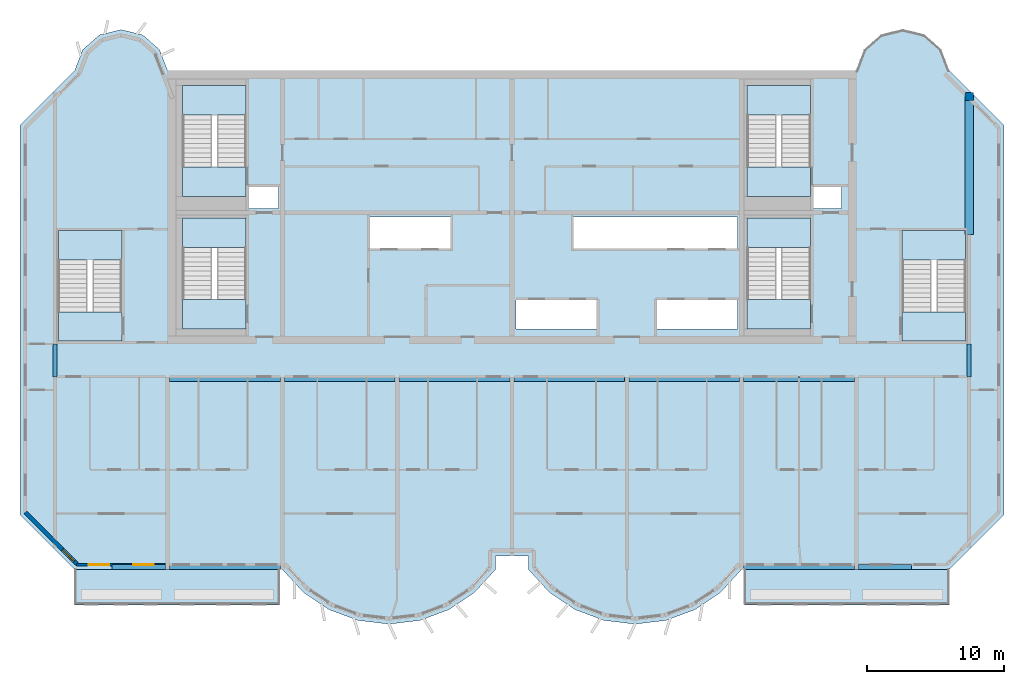
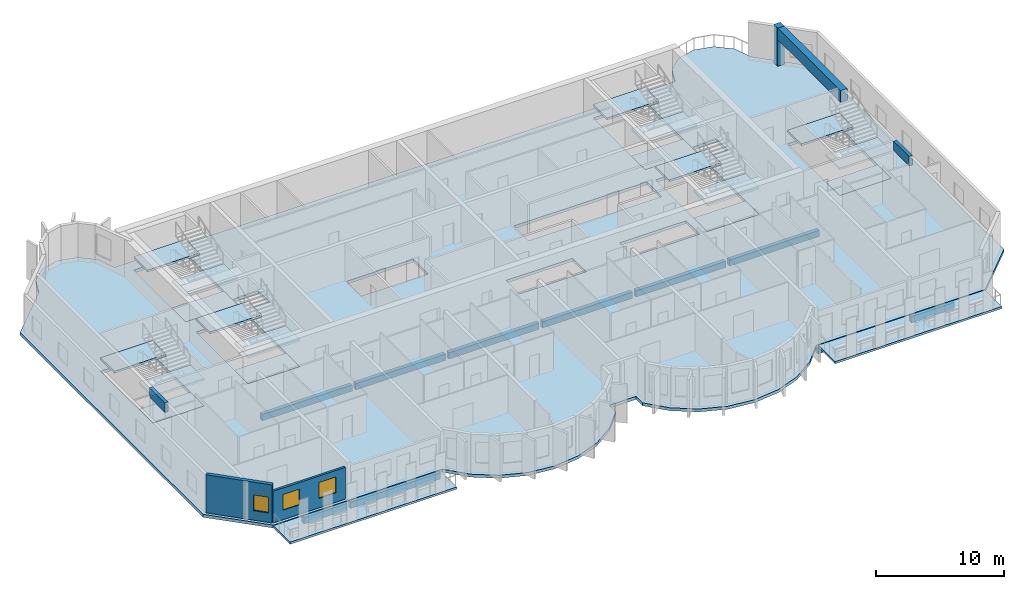
# One storey, part 1 of 12: 21 slabs, 13 beams, 3 windows, 2 walls, 1 column, 3 openings, 6 elements without a shape of their own.
"""IFC4 building model written with IfcOpenShell, lengths in metres."""

import ifcopenshell
import ifcopenshell.guid

model = None  # the IFC model being written
_history = None  # IfcOwnerHistory: only IFC2X3 demands one
_inside = {}  # id of a spatial element -> (the spatial element, [elements in it])
_under = {}  # id of a project, library or spatial element -> (it, [spatial elements below it])
_declared = {}  # id of a project -> (the project, [libraries it declares])
_typed = {}  # id of a type object -> (the type object, [elements of that type])
_made_of = {}  # id of a material, layer set ... -> (it, [elements and type objects made of it])


def new_model(schema):
    """Start an empty IFC model of exactly this schema.

    Asked for "IFC4X3", IfcOpenShell would pick the latest addendum, in which some entities
    have other attributes; the version numbers below select the first issue.
    IFC2X3 requires an IfcOwnerHistory on every rooted entity: one is made here for all.
    """
    global model, _history
    if schema == "IFC4X3":
        model = ifcopenshell.file(schema_version=(4, 3, 0, 0))
    else:
        model = ifcopenshell.file(schema=schema)
    _inside.clear()
    _under.clear()
    _declared.clear()
    _typed.clear()
    _made_of.clear()
    _history = None
    if model.schema == "IFC2X3":
        org = make("IfcOrganization", Name="unknown")
        user = make(
            "IfcPersonAndOrganization",
            ThePerson=make("IfcPerson", FamilyName="unknown"),
            TheOrganization=org,
        )
        app = make(
            "IfcApplication",
            ApplicationDeveloper=org,
            Version="unknown",
            ApplicationFullName="unknown",
            ApplicationIdentifier="unknown",
        )
        _history = make(
            "IfcOwnerHistory",
            OwningUser=user,
            OwningApplication=app,
            ChangeAction="ADDED",
            CreationDate=0,
        )
    return model


def make(cls, **values):
    """One entity of the class cls with the attributes given. An attribute that is None is left unset."""
    return model.create_entity(
        cls, **{name: value for name, value in values.items() if value is not None}
    )


def rooted(cls, **values):
    """An entity with a GlobalId (a new one), such as an element, a storey or a relation."""
    return make(cls, GlobalId=ifcopenshell.guid.new(), OwnerHistory=_history, **values)


def si_unit(unit_type, name, prefix=None):
    """IfcSIUnit, for example si_unit("LENGTHUNIT", "METRE", prefix="MILLI")."""
    return make("IfcSIUnit", UnitType=unit_type, Prefix=prefix, Name=name)


def assignment(units):
    """IfcUnitAssignment: the units of a project."""
    return None if units is None else make("IfcUnitAssignment", Units=units)


def point(xyz):
    """IfcCartesianPoint."""
    return None if xyz is None else make("IfcCartesianPoint", Coordinates=xyz)


def direction(xyz):
    """IfcDirection."""
    return None if xyz is None else make("IfcDirection", DirectionRatios=xyz)


def frame(location, z_axis=None, x_axis=None):
    """IfcAxis2Placement3D, a coordinate frame: its origin and axes. An axis left out is left unset."""
    return make(
        "IfcAxis2Placement3D",
        Location=point(location),
        Axis=direction(z_axis),
        RefDirection=direction(x_axis),
    )


def frame_2d(location, x_axis=None):
    """IfcAxis2Placement2D, a coordinate frame in the plane: its origin and x axis."""
    return make(
        "IfcAxis2Placement2D", Location=point(location), RefDirection=direction(x_axis)
    )


def origin():
    """The frame at (0, 0, 0) with its axes left unset."""
    return frame((0.0, 0.0, 0.0))


def origin_2d():
    """The frame at (0, 0) in the plane with its x axis left unset."""
    return frame_2d((0.0, 0.0))


def place(relative_to, where):
    """IfcLocalPlacement: puts the frame where relative to a parent placement (None: the world)."""
    return make(
        "IfcLocalPlacement", PlacementRelTo=relative_to, RelativePlacement=where
    )


def context(
    kind, dimensions, precision=None, world=None, true_north=None, identifier=None
):
    """IfcGeometricRepresentationContext, for example the 3D "Model" context."""
    return make(
        "IfcGeometricRepresentationContext",
        ContextIdentifier=identifier,
        ContextType=kind,
        CoordinateSpaceDimension=dimensions,
        Precision=precision,
        WorldCoordinateSystem=world,
        TrueNorth=true_north,
    )


def subcontext(parent, identifier, kind, view, scale=None):
    """IfcGeometricRepresentationSubContext, for example "Body" below "Model"."""
    return make(
        "IfcGeometricRepresentationSubContext",
        ContextIdentifier=identifier,
        ContextType=kind,
        ParentContext=parent,
        TargetScale=scale,
        TargetView=view,
    )


def project(units=None, contexts=None):
    """IfcProject with its units and contexts."""
    return rooted(
        "IfcProject",
        Name="project",
        RepresentationContexts=contexts,
        UnitsInContext=assignment(units),
    )


def spatial(cls, under=None, at=None, **own):
    """A site, building, storey or space (cls), placed at a placement, below another one or the project."""
    s = rooted(cls, ObjectPlacement=at, **own)
    if under is not None:
        _under.setdefault(under.id(), (under, []))[1].append(s)
    return s


def polyline(points):
    """IfcPolyline through the points."""
    return make("IfcPolyline", Points=[point(p) for p in points])


def profile(cls, at=None, kind="AREA", **sizes):
    """A parametric profile (cls). Its sizes go by their IFC names, for example OverallWidth=200.0."""
    return make(cls, ProfileType=kind, Position=at, **sizes)


def rectangle(**sizes):
    """IfcRectangleProfileDef."""
    return profile("IfcRectangleProfileDef", **sizes)


def outline(outer, holes=None, kind="AREA"):
    """IfcArbitraryClosedProfileDef: a profile drawn as a closed curve; with holes, ...WithVoids."""
    if holes is None:
        return make("IfcArbitraryClosedProfileDef", ProfileType=kind, OuterCurve=outer)
    return make(
        "IfcArbitraryProfileDefWithVoids",
        ProfileType=kind,
        OuterCurve=outer,
        InnerCurves=holes,
    )


def extrude(swept, where, along, depth):
    """IfcExtrudedAreaSolid: the profile swept, set in the frame where, extruded along a direction by depth."""
    return make(
        "IfcExtrudedAreaSolid",
        SweptArea=swept,
        Position=where,
        ExtrudedDirection=direction(along),
        Depth=depth,
    )


def shape(context_of_items, identifier, shape_type, items):
    """IfcShapeRepresentation: the items that make up one representation, for example the "Body"."""
    return make(
        "IfcShapeRepresentation",
        ContextOfItems=context_of_items,
        RepresentationIdentifier=identifier,
        RepresentationType=shape_type,
        Items=items,
    )


def source(mapping_origin, context_of_items, identifier, shape_type, items):
    """IfcRepresentationMap: a shape defined once, which mapped items show again and again."""
    return make(
        "IfcRepresentationMap",
        MappingOrigin=mapping_origin,
        MappedRepresentation=shape(context_of_items, identifier, shape_type, items),
    )


def transform(
    local_origin,
    x_axis=None,
    y_axis=None,
    z_axis=None,
    scale=None,
    scale2=None,
    scale3=None,
    uniform=True,
):
    """IfcCartesianTransformationOperator3D, or its non-uniform kind. x_axis, y_axis, z_axis: its Axis1, 2, 3."""
    if uniform:
        return make(
            "IfcCartesianTransformationOperator3D",
            Axis1=direction(x_axis),
            Axis2=direction(y_axis),
            LocalOrigin=point(local_origin),
            Scale=scale,
            Axis3=direction(z_axis),
        )
    return make(
        "IfcCartesianTransformationOperator3DnonUniform",
        Axis1=direction(x_axis),
        Axis2=direction(y_axis),
        LocalOrigin=point(local_origin),
        Scale=scale,
        Axis3=direction(z_axis),
        Scale2=scale2,
        Scale3=scale3,
    )


def mapped(mapping_source, mapping_target):
    """IfcMappedItem: shows the shape of a source again, moved by a transform."""
    return make(
        "IfcMappedItem", MappingSource=mapping_source, MappingTarget=mapping_target
    )


def material(Name=None, Category=None):
    """IfcMaterial."""
    return make("IfcMaterial", Name=Name, Category=Category)


def layer(
    of_material, thickness, ventilated=None, Name=None, Category=None, Priority=None
):
    """IfcMaterialLayer: one layer of a wall or slab, of a material (None: an air gap)."""
    return make(
        "IfcMaterialLayer",
        Material=of_material,
        LayerThickness=thickness,
        IsVentilated=ventilated,
        Name=Name,
        Category=Category,
        Priority=Priority,
    )


def layer_set(layers, Name=None):
    """IfcMaterialLayerSet."""
    return make("IfcMaterialLayerSet", MaterialLayers=layers, LayerSetName=Name)


def material_profile(
    of_material, cross_section, Name=None, Category=None, Priority=None
):
    """IfcMaterialProfile: a cross section and its material."""
    return make(
        "IfcMaterialProfile",
        Name=Name,
        Material=of_material,
        Profile=cross_section,
        Priority=Priority,
        Category=Category,
    )


def profile_set(profiles, Name=None, composite=None):
    """IfcMaterialProfileSet."""
    return make(
        "IfcMaterialProfileSet",
        Name=Name,
        MaterialProfiles=profiles,
        CompositeProfile=composite,
    )


def made_of(thing, what):
    """Note that an element or type object is made of a material, layer set ...; save() writes the relation."""
    if what is not None:
        _made_of.setdefault(what.id(), (what, []))[1].append(thing)
    return thing


def type_object(cls, material=None, **own):
    """A type object (cls), such as IfcWallType, which elements share."""
    return made_of(rooted(cls, **own), material)


def element(
    cls,
    number,
    at=None,
    inside=None,
    cuts=None,
    type_object=None,
    material=None,
    context=None,
    identifier="Body",
    shape_type=None,
    held_by="IfcProductDefinitionShape",
    body=None,
    shapes=None,
    **own,
):
    """One element of the class cls, such as IfcWall. Its Tag is "e" and its number.

    at: its placement. inside: the storey or other place that contains it. cuts: it is an
    opening in that element (IfcRelVoidsElement). A single representation is given by context,
    identifier, shape_type and body (its items); several are given by shapes. held_by: the class
    of the entity that holds the representations. save() writes the other relations.
    """
    e = rooted(cls, Tag="e%d" % number, ObjectPlacement=at, **own)
    if body is not None:
        shapes = [shape(context, identifier, shape_type, body)]
    if shapes is not None:
        e.Representation = make(held_by, Representations=shapes)
    if inside is not None:
        _inside.setdefault(inside.id(), (inside, []))[1].append(e)
    if cuts is not None:
        rooted(
            "IfcRelVoidsElement", RelatingBuildingElement=cuts, RelatedOpeningElement=e
        )
    if type_object is not None:
        _typed.setdefault(type_object.id(), (type_object, []))[1].append(e)
    return made_of(e, material)


def fill(opening, filler):
    """IfcRelFillsElement: the door or window that sits in an opening."""
    return rooted(
        "IfcRelFillsElement",
        RelatingOpeningElement=opening,
        RelatedBuildingElement=filler,
    )


def aggregate(whole, parts):
    """IfcRelAggregates: a whole, such as a stair, and the parts it consists of."""
    return rooted("IfcRelAggregates", RelatingObject=whole, RelatedObjects=parts)


def save(model, path):
    """Write the relations noted so far, then the file.

    IfcRelAggregates (storeys below a building ...), IfcRelContainedInSpatialStructure (elements
    in a storey), IfcRelDefinesByType, IfcRelAssociatesMaterial and IfcRelDeclares: one each for
    every whole, place, type object, material and project.
    """
    for whole, parts in _under.values():
        aggregate(whole, parts)
    for where, things in _inside.values():
        rooted(
            "IfcRelContainedInSpatialStructure",
            RelatedElements=things,
            RelatingStructure=where,
        )
    for kind, things in _typed.values():
        rooted("IfcRelDefinesByType", RelatedObjects=things, RelatingType=kind)
    for what, things in _made_of.values():
        rooted("IfcRelAssociatesMaterial", RelatedObjects=things, RelatingMaterial=what)
    for by, libraries in _declared.values():
        rooted("IfcRelDeclares", RelatingContext=by, RelatedDefinitions=libraries)
    model.write(path)


model = new_model("IFC4")

# Units and contexts
model_context = context("Model", 3, precision=1e-05, world=origin(), true_north=direction((0.0, 1.0)))
body_context = subcontext(model_context, "Body", "Model", "MODEL_VIEW")
ifc_project = project(units=[si_unit("LENGTHUNIT", "METRE"), si_unit("AREAUNIT", "SQUARE_METRE"), si_unit("VOLUMEUNIT", "CUBIC_METRE"), si_unit("PLANEANGLEUNIT", "RADIAN"), si_unit("MASSUNIT", "GRAM", prefix="KILO")], contexts=[model_context])

# Site, building, storey
site_placement = place(None, origin())
site = spatial("IfcSite", under=ifc_project, at=site_placement, CompositionType="ELEMENT")
building_placement = place(site_placement, origin())
building = spatial("IfcBuilding", under=site, at=building_placement, Name="Vanashikhar Sky Hotel", CompositionType="ELEMENT")
storey_placement = place(building_placement, frame((0.0, 0.0, 253.0)))
storey = spatial("IfcBuildingStorey", under=building, at=storey_placement, Name="L61", CompositionType="ELEMENT", Elevation=253.0)

# Column
ifc_material_1 = material(Name="Concrete M50", Category="concrete")
ifc_material_profile_1 = material_profile(ifc_material_1, rectangle(XDim=0.60009765625, YDim=0.60009765625, at=origin_2d()))
ifc_profile_set_1 = profile_set([ifc_material_profile_1], Name="RC 600x600 column Concrete M50")
column_type = type_object("IfcColumnType", Name="RC 600x600 column Concrete M50", PredefinedType="COLUMN", material=ifc_profile_set_1)
shared_shape_1 = source(origin(), body_context, "Body", "SweptSolid", [
    extrude(rectangle(XDim=0.60009765625, YDim=0.60009765625, at=origin_2d()), origin(), (0.0, 0.0, 1.0), 3.6201171875),
])
column_placement = place(storey_placement, frame((83.85009765625, 40.10009765625, 0.0), z_axis=(0.0, 0.0, 1.0), x_axis=(1.0, 0.0, 0.0)))
element("IfcColumn", 1, at=column_placement, inside=storey, type_object=column_type, Name="CL-L61-CRF", PredefinedType="COLUMN", context=body_context, shape_type="MappedRepresentation", body=[
    mapped(shared_shape_1, transform((0.0, 0.0, 0.0), scale=1.0)),
])

# Beams
ifc_material_profile_2 = material_profile(ifc_material_1, rectangle(XDim=0.300048828125, YDim=0.89990234375, at=origin_2d()))
ifc_profile_set_2 = profile_set([ifc_material_profile_2], Name="RC 300x900 beam Concrete M50")
beam_type_1 = type_object("IfcBeamType", Name="RC 300x900 beam Concrete M50", PredefinedType="LINTEL", material=ifc_profile_set_2)
shared_shape_2 = source(origin(), body_context, "Body", "SweptSolid", [
    extrude(rectangle(XDim=0.300048828125, YDim=0.89990234375, at=origin_2d()), origin(), (0.0, 0.0, 1.0), 2.39990234375),
])
for number, where, z_axis, x_axis, name in (
    (2, (16.949951171875, 19.60009765625, 3.169921875), (0.0, 1.0, 0.0), (-1.0, 0.0, 0.0), "LB-L61-XW03"),
    (3, (83.85009765625, 19.60009765625, 3.169921875), (0.0, 1.0, 0.0), (-1.0, 0.0, 0.0), "LB-L61-XW11"),
):
    element("IfcBeam", number, at=place(storey_placement, frame(where, z_axis=z_axis, x_axis=x_axis)), inside=storey, type_object=beam_type_1, Name=name, PredefinedType="LINTEL", context=body_context, shape_type="MappedRepresentation", body=[
        mapped(shared_shape_2, transform((0.0, 0.0, 0.0), scale=1.0)),
    ])
ifc_material_profile_3 = material_profile(ifc_material_1, rectangle(XDim=0.35009765625, YDim=0.60009765625, at=origin_2d()))
ifc_profile_set_3 = profile_set([ifc_material_profile_3], Name="RC 350x600 beam Concrete M50")
beam_type_2 = type_object("IfcBeamType", Name="RC 350x600 beam Concrete M50", PredefinedType="SPANDREL", material=ifc_profile_set_3)
shared_shape_3 = source(origin(), body_context, "Body", "SweptSolid", [
    extrude(rectangle(XDim=0.35009765625, YDim=0.60009765625, at=origin_2d()), origin(), (0.0, 0.0, 1.0), 8.099853515625),
])
for number, where, z_axis, x_axis, name in (
    (4, (25.35009765625, 5.675048828125, -0.580078125), (1.0, 0.0, 0.0), (0.0, 1.0, 0.0), "EB-L61-F01"),
    (5, (67.35009765625, 5.675048828125, -0.580078125), (1.0, 0.0, 0.0), (0.0, 1.0, 0.0), "EB-L61-F03"),
    (6, (25.35009765625, 19.425048828125, -0.580078125), (1.0, 0.0, 0.0), (0.0, 1.0, 0.0), "CB-L61-01"),
    (7, (50.550048828125, 19.425048828125, -0.580078125), (1.0, 0.0, 0.0), (0.0, 1.0, 0.0), "CB-L61-04"),
    (8, (67.35009765625, 19.425048828125, -0.580078125), (1.0, 0.0, 0.0), (0.0, 1.0, 0.0), "CB-L61-06"),
):
    element("IfcBeam", number, at=place(storey_placement, frame(where, z_axis=z_axis, x_axis=x_axis)), inside=storey, type_object=beam_type_2, Name=name, PredefinedType="SPANDREL", context=body_context, shape_type="MappedRepresentation", body=[
        mapped(shared_shape_3, transform((0.0, 0.0, 0.0), scale=1.0)),
    ])
ifc_material_profile_4 = material_profile(ifc_material_1, rectangle(XDim=0.35009765625, YDim=0.60009765625, at=origin_2d()))
ifc_profile_set_4 = profile_set([ifc_material_profile_4], Name="RC 350x600 cantilever beam Concrete M50")
beam_type_3 = type_object("IfcBeamType", Name="RC 350x600 cantilever beam Concrete M50", PredefinedType="SPANDREL", material=ifc_profile_set_4)
shared_shape_4 = source(origin(), body_context, "Body", "SweptSolid", [
    extrude(rectangle(XDim=0.35009765625, YDim=0.60009765625, at=origin_2d()), origin(), (0.0, 0.0, 1.0), 3.900146484375),
])
beam_1_placement = place(storey_placement, frame((21.14990234375, 5.675048828125, -0.580078125), z_axis=(1.0, 0.0, 0.0), x_axis=(0.0, 1.0, 0.0)))
element("IfcBeam", 9, at=beam_1_placement, inside=storey, type_object=beam_type_3, Name="EB-L61-F02", PredefinedType="SPANDREL", context=body_context, shape_type="MappedRepresentation", body=[
    mapped(shared_shape_4, transform((0.0, 0.0, 0.0), scale=1.0)),
])
shared_shape_5 = source(origin(), body_context, "Body", "SweptSolid", [
    extrude(rectangle(XDim=0.35009765625, YDim=0.60009765625, at=origin_2d()), origin(), (0.0, 0.0, 1.0), 3.89990234375),
])
beam_2_placement = place(storey_placement, frame((75.75, 5.675048828125, -0.580078125), z_axis=(1.0, 0.0, 0.0), x_axis=(0.0, 1.0, 0.0)))
element("IfcBeam", 10, at=beam_2_placement, inside=storey, type_object=beam_type_3, Name="EB-L61-F04", PredefinedType="SPANDREL", context=body_context, shape_type="MappedRepresentation", body=[
    mapped(shared_shape_5, transform((0.0, 0.0, 0.0), scale=1.0)),
])
shared_shape_6 = source(origin(), body_context, "Body", "SweptSolid", [
    extrude(rectangle(XDim=0.35009765625, YDim=0.60009765625, at=origin_2d()), origin(), (0.0, 0.0, 1.0), 8.10009765625),
])
for number, where, z_axis, x_axis, name in (
    (11, (33.75, 19.425048828125, -0.580078125), (1.0, 0.0, 0.0), (0.0, 1.0, 0.0), "CB-L61-02"),
    (12, (42.14990234375, 19.425048828125, -0.580078125), (1.0, 0.0, 0.0), (0.0, 1.0, 0.0), "CB-L61-03"),
    (13, (58.949951171875, 19.425048828125, -0.580078125), (1.0, 0.0, 0.0), (0.0, 1.0, 0.0), "CB-L61-05"),
):
    element("IfcBeam", number, at=place(storey_placement, frame(where, z_axis=z_axis, x_axis=x_axis)), inside=storey, type_object=beam_type_2, Name=name, PredefinedType="SPANDREL", context=body_context, shape_type="MappedRepresentation", body=[
        mapped(shared_shape_6, transform((0.0, 0.0, 0.0), scale=1.0)),
    ])
ifc_material_profile_5 = material_profile(ifc_material_1, rectangle(XDim=0.60009765625, YDim=1.10009765625, at=origin_2d()))
ifc_profile_set_5 = profile_set([ifc_material_profile_5], Name="RC 600x1100 beam Concrete M50")
beam_type_4 = type_object("IfcBeamType", Name="RC 600x1100 beam Concrete M50", PredefinedType="BEAM", material=ifc_profile_set_5)
shared_shape_7 = source(origin(), body_context, "Body", "SweptSolid", [
    extrude(rectangle(XDim=0.60009765625, YDim=1.10009765625, at=origin_2d()), origin(), (0.0, 0.0, 1.0), 9.800048828125),
])
beam_3_placement = place(storey_placement, frame((83.85009765625, 30.0, 3.070068359375), z_axis=(0.0, 1.0, 0.0), x_axis=(-1.0, 0.0, 0.0)))
element("IfcBeam", 14, at=beam_3_placement, inside=storey, type_object=beam_type_4, Name="LB-L61-XW11-O1", PredefinedType="BEAM", context=body_context, shape_type="MappedRepresentation", body=[
    mapped(shared_shape_7, transform((0.0, 0.0, 0.0), scale=1.0)),
])

# Slabs
ifc_material_2 = material(Name="Concrete M40", Category="concrete")
ifc_layer_1 = layer(ifc_material_2, 0.280029296875)
ifc_layer_set_1 = layer_set([ifc_layer_1], Name="Floor slab 280 mm")
slab_type_1 = type_object("IfcSlabType", Name="Floor slab 280 mm", PredefinedType="FLOOR", material=ifc_layer_set_1)
shared_shape_8 = source(origin(), body_context, "Body", "SweptSolid", [
    extrude(outline(polyline([(49.199951171875, 5.5), (49.199951171875, 6.5), (51.60009765625, 6.5), (51.60009765625, 5.5), (53.133056640625, 3.825927734375), (55.01708984375, 2.55810546875), (57.14599609375, 1.76806640625), (59.39990234375, 1.5), (61.654052734375, 1.76806640625), (63.782958984375, 2.55810546875), (65.6669921875, 3.825927734375), (67.199951171875, 5.5), (82.39990234375, 5.5), (86.39990234375, 9.5), (86.39990234375, 38.0), (82.39990234375, 42.0), (81.81494140625, 43.527099609375), (80.587890625, 44.610107421875), (79.0, 45.0), (77.412109375, 44.610107421875), (76.18505859375, 43.527099609375), (75.60009765625, 42.0), (25.199951171875, 42.0), (24.614990234375, 43.527099609375), (23.387939453125, 44.610107421875), (21.800048828125, 45.0), (20.2119140625, 44.610107421875), (18.985107421875, 43.527099609375), (18.39990234375, 42.0), (14.39990234375, 38.0), (14.39990234375, 9.5), (18.39990234375, 5.5), (33.60009765625, 5.5), (35.133056640625, 3.825927734375), (37.01708984375, 2.55810546875), (39.14599609375, 1.76806640625), (41.39990234375, 1.5), (43.654052734375, 1.76806640625), (45.782958984375, 2.55810546875), (47.6669921875, 3.825927734375), (49.199951171875, 5.5)]), holes=[polyline([(33.300048828125, 33.60009765625), (31.050048828125, 33.60009765625), (31.050048828125, 31.89990234375), (33.300048828125, 31.89990234375), (33.300048828125, 33.60009765625)]), polyline([(39.89990234375, 31.300048828125), (39.89990234375, 29.0), (45.89990234375, 29.0), (45.89990234375, 31.300048828125), (39.89990234375, 31.300048828125)]), polyline([(50.699951171875, 25.199951171875), (50.699951171875, 23.10009765625), (56.699951171875, 23.10009765625), (56.699951171875, 25.199951171875), (50.699951171875, 25.199951171875)]), polyline([(66.89990234375, 29.0), (66.89990234375, 31.300048828125), (54.89990234375, 31.300048828125), (54.89990234375, 29.0), (66.89990234375, 29.0)]), polyline([(60.89990234375, 25.199951171875), (60.89990234375, 23.10009765625), (66.89990234375, 23.10009765625), (66.89990234375, 25.199951171875), (60.89990234375, 25.199951171875)]), polyline([(74.5, 33.60009765625), (72.35009765625, 33.60009765625), (72.35009765625, 31.89990234375), (74.5, 31.89990234375), (74.5, 33.60009765625)]), polyline([(30.949951171875, 23.10009765625), (30.949951171875, 31.199951171875), (26.300048828125, 31.199951171875), (26.300048828125, 23.10009765625), (30.949951171875, 23.10009765625)]), polyline([(72.25, 23.10009765625), (72.25, 31.199951171875), (67.60009765625, 31.199951171875), (67.60009765625, 23.10009765625), (72.25, 23.10009765625)]), polyline([(30.949951171875, 32.800048828125), (30.949951171875, 40.89990234375), (26.300048828125, 40.89990234375), (26.300048828125, 32.800048828125), (30.949951171875, 32.800048828125)]), polyline([(72.25, 32.800048828125), (72.25, 40.89990234375), (67.60009765625, 40.89990234375), (67.60009765625, 32.800048828125), (72.25, 32.800048828125)]), polyline([(83.60009765625, 22.199951171875), (83.60009765625, 30.300048828125), (78.949951171875, 30.300048828125), (78.949951171875, 22.199951171875), (83.60009765625, 22.199951171875)]), polyline([(21.85009765625, 22.199951171875), (21.85009765625, 30.300048828125), (17.199951171875, 30.300048828125), (17.199951171875, 22.199951171875), (21.85009765625, 22.199951171875)])]), origin(), (0.0, 0.0, 1.0), 0.280029296875),
])
slab_1_placement = place(storey_placement, frame((0.0, 0.0, -0.280029296875)))
element("IfcSlab", 15, at=slab_1_placement, inside=storey, type_object=slab_type_1, Name="Floor slab L61", PredefinedType="FLOOR", context=body_context, shape_type="MappedRepresentation", body=[
    mapped(shared_shape_8, transform((0.0, 0.0, 0.0), scale=1.0)),
])
ifc_layer_2 = layer(ifc_material_2, 0.199951171875)
ifc_layer_set_2 = layer_set([ifc_layer_2], Name="Balcony slab 200 mm")
slab_type_2 = type_object("IfcSlabType", Name="Balcony slab 200 mm", PredefinedType="USERDEFINED", material=ifc_layer_set_2)
shared_shape_9 = source(origin(), body_context, "Body", "SweptSolid", [
    extrude(outline(polyline([(18.39990234375, 2.89990234375), (33.39990234375, 2.89990234375), (33.39990234375, 5.5), (18.39990234375, 5.5), (18.39990234375, 2.89990234375)])), origin(), (0.0, 0.0, 1.0), 0.199951171875),
])
slab_2_placement = place(storey_placement, frame((0.0, 0.0, -0.25)))
element("IfcSlab", 16, at=slab_2_placement, inside=storey, type_object=slab_type_2, Name="Balcony slab L61 1", ObjectType="BALCONY", PredefinedType="USERDEFINED", context=body_context, shape_type="MappedRepresentation", body=[
    mapped(shared_shape_9, transform((0.0, 0.0, 0.0), scale=1.0)),
])
shared_shape_10 = source(origin(), body_context, "Body", "SweptSolid", [
    extrude(outline(polyline([(67.39990234375, 2.89990234375), (82.39990234375, 2.89990234375), (82.39990234375, 5.5), (67.39990234375, 5.5), (67.39990234375, 2.89990234375)])), origin(), (0.0, 0.0, 1.0), 0.199951171875),
])
slab_3_placement = place(storey_placement, frame((0.0, 0.0, -0.25)))
element("IfcSlab", 17, at=slab_3_placement, inside=storey, type_object=slab_type_2, Name="Balcony slab L61 2", ObjectType="BALCONY", PredefinedType="USERDEFINED", context=body_context, shape_type="MappedRepresentation", body=[
    mapped(shared_shape_10, transform((0.0, 0.0, 0.0), scale=1.0)),
])

# Stair, slabs
stair_type = type_object("IfcStairType", Name="Exit stair 2150", PredefinedType="DOUBLE_RETURN_STAIR", material=ifc_material_2)
stair_1_placement = place(storey_placement, origin())
stair_1 = element("IfcStair", 18, at=stair_1_placement, inside=storey, type_object=stair_type, Name="L61 Exit stair 1", PredefinedType="DOUBLE_RETURN_STAIR")
ifc_layer_3 = layer(ifc_material_2, 0.199951171875)
ifc_layer_set_3 = layer_set([ifc_layer_3], Name="Stair landing 200")
slab_type_3 = type_object("IfcSlabType", Name="Stair landing 200", PredefinedType="LANDING", material=ifc_layer_set_3)
shared_shape_11 = source(origin(), body_context, "Body", "SweptSolid", [
    extrude(outline(polyline([(30.949951171875, 29.050048828125), (30.949951171875, 31.199951171875), (26.300048828125, 31.199951171875), (26.300048828125, 29.050048828125), (30.949951171875, 29.050048828125)])), origin(), (0.0, 0.0, 1.0), 0.199951171875),
])
slab_4_placement = place(storey_placement, frame((0.0, 0.0, 1.10009765625)))
slab_4 = element("IfcSlab", 19, at=slab_4_placement, type_object=slab_type_3, Name="ST-C1 landing 1", PredefinedType="LANDING", context=body_context, shape_type="MappedRepresentation", body=[
    mapped(shared_shape_11, transform((0.0, 0.0, 0.0), scale=1.0)),
])
shared_shape_12 = source(origin(), body_context, "Body", "SweptSolid", [
    extrude(outline(polyline([(30.949951171875, 23.10009765625), (30.949951171875, 25.25), (26.300048828125, 25.25), (26.300048828125, 23.10009765625), (30.949951171875, 23.10009765625)])), origin(), (0.0, 0.0, 1.0), 0.2001953125),
])
slab_5_placement = place(storey_placement, frame((0.0, 0.0, 2.39990234375)))
slab_5 = element("IfcSlab", 20, at=slab_5_placement, type_object=slab_type_3, Name="ST-C1 landing 2", PredefinedType="LANDING", context=body_context, shape_type="MappedRepresentation", body=[
    mapped(shared_shape_12, transform((0.0, 0.0, 0.0), scale=1.0)),
])
aggregate(stair_1, [slab_4, slab_5])

# Slab
ifc_layer_4 = layer(ifc_material_2, 0.280029296875)
ifc_layer_set_4 = layer_set([ifc_layer_4], Name="Stair floor landing 280")
slab_type_4 = type_object("IfcSlabType", Name="Stair floor landing 280", PredefinedType="LANDING", material=ifc_layer_set_4)
shared_shape_13 = source(origin(), body_context, "Body", "SweptSolid", [
    extrude(outline(polyline([(30.949951171875, 23.10009765625), (30.949951171875, 25.25), (26.300048828125, 25.25), (26.300048828125, 23.10009765625), (30.949951171875, 23.10009765625)])), origin(), (0.0, 0.0, 1.0), 0.280029296875),
])
slab_6_placement = place(storey_placement, frame((0.0, 0.0, -0.280029296875)))
element("IfcSlab", 21, at=slab_6_placement, inside=storey, type_object=slab_type_4, Name="Exit stair 1 floor landing", PredefinedType="LANDING", context=body_context, shape_type="MappedRepresentation", body=[
    mapped(shared_shape_13, transform((0.0, 0.0, 0.0), scale=1.0)),
])

# Stair, slabs
stair_2_placement = place(storey_placement, origin())
stair_2 = element("IfcStair", 22, at=stair_2_placement, inside=storey, type_object=stair_type, Name="L61 Exit stair 2", PredefinedType="DOUBLE_RETURN_STAIR")
shared_shape_14 = source(origin(), body_context, "Body", "SweptSolid", [
    extrude(outline(polyline([(72.25, 29.050048828125), (72.25, 31.199951171875), (67.60009765625, 31.199951171875), (67.60009765625, 29.050048828125), (72.25, 29.050048828125)])), origin(), (0.0, 0.0, 1.0), 0.199951171875),
])
slab_7_placement = place(storey_placement, frame((0.0, 0.0, 1.10009765625)))
slab_7 = element("IfcSlab", 23, at=slab_7_placement, type_object=slab_type_3, Name="ST-C2 landing 1", PredefinedType="LANDING", context=body_context, shape_type="MappedRepresentation", body=[
    mapped(shared_shape_14, transform((0.0, 0.0, 0.0), scale=1.0)),
])
shared_shape_15 = source(origin(), body_context, "Body", "SweptSolid", [
    extrude(outline(polyline([(72.25, 23.10009765625), (72.25, 25.25), (67.60009765625, 25.25), (67.60009765625, 23.10009765625), (72.25, 23.10009765625)])), origin(), (0.0, 0.0, 1.0), 0.2001953125),
])
slab_8_placement = place(storey_placement, frame((0.0, 0.0, 2.39990234375)))
slab_8 = element("IfcSlab", 24, at=slab_8_placement, type_object=slab_type_3, Name="ST-C2 landing 2", PredefinedType="LANDING", context=body_context, shape_type="MappedRepresentation", body=[
    mapped(shared_shape_15, transform((0.0, 0.0, 0.0), scale=1.0)),
])
aggregate(stair_2, [slab_7, slab_8])

# Slab
shared_shape_16 = source(origin(), body_context, "Body", "SweptSolid", [
    extrude(outline(polyline([(72.25, 23.10009765625), (72.25, 25.25), (67.60009765625, 25.25), (67.60009765625, 23.10009765625), (72.25, 23.10009765625)])), origin(), (0.0, 0.0, 1.0), 0.280029296875),
])
slab_9_placement = place(storey_placement, frame((0.0, 0.0, -0.280029296875)))
element("IfcSlab", 25, at=slab_9_placement, inside=storey, type_object=slab_type_4, Name="Exit stair 2 floor landing", PredefinedType="LANDING", context=body_context, shape_type="MappedRepresentation", body=[
    mapped(shared_shape_16, transform((0.0, 0.0, 0.0), scale=1.0)),
])

# Stair, slabs
stair_3_placement = place(storey_placement, origin())
stair_3 = element("IfcStair", 26, at=stair_3_placement, inside=storey, type_object=stair_type, Name="L61 Exit stair 3", PredefinedType="DOUBLE_RETURN_STAIR")
shared_shape_17 = source(origin(), body_context, "Body", "SweptSolid", [
    extrude(outline(polyline([(21.85009765625, 28.14990234375), (21.85009765625, 30.300048828125), (17.199951171875, 30.300048828125), (17.199951171875, 28.14990234375), (21.85009765625, 28.14990234375)])), origin(), (0.0, 0.0, 1.0), 0.199951171875),
])
slab_10_placement = place(storey_placement, frame((0.0, 0.0, 1.10009765625)))
slab_10 = element("IfcSlab", 27, at=slab_10_placement, type_object=slab_type_3, Name="ST-W landing 1", PredefinedType="LANDING", context=body_context, shape_type="MappedRepresentation", body=[
    mapped(shared_shape_17, transform((0.0, 0.0, 0.0), scale=1.0)),
])
shared_shape_18 = source(origin(), body_context, "Body", "SweptSolid", [
    extrude(outline(polyline([(21.85009765625, 22.199951171875), (21.85009765625, 24.35009765625), (17.199951171875, 24.35009765625), (17.199951171875, 22.199951171875), (21.85009765625, 22.199951171875)])), origin(), (0.0, 0.0, 1.0), 0.2001953125),
])
slab_11_placement = place(storey_placement, frame((0.0, 0.0, 2.39990234375)))
slab_11 = element("IfcSlab", 28, at=slab_11_placement, type_object=slab_type_3, Name="ST-W landing 2", PredefinedType="LANDING", context=body_context, shape_type="MappedRepresentation", body=[
    mapped(shared_shape_18, transform((0.0, 0.0, 0.0), scale=1.0)),
])
aggregate(stair_3, [slab_10, slab_11])

# Slab
shared_shape_19 = source(origin(), body_context, "Body", "SweptSolid", [
    extrude(outline(polyline([(21.85009765625, 22.199951171875), (21.85009765625, 24.35009765625), (17.199951171875, 24.35009765625), (17.199951171875, 22.199951171875), (21.85009765625, 22.199951171875)])), origin(), (0.0, 0.0, 1.0), 0.280029296875),
])
slab_12_placement = place(storey_placement, frame((0.0, 0.0, -0.280029296875)))
element("IfcSlab", 29, at=slab_12_placement, inside=storey, type_object=slab_type_4, Name="Exit stair 3 floor landing", PredefinedType="LANDING", context=body_context, shape_type="MappedRepresentation", body=[
    mapped(shared_shape_19, transform((0.0, 0.0, 0.0), scale=1.0)),
])

# Stair, slabs
stair_4_placement = place(storey_placement, origin())
stair_4 = element("IfcStair", 30, at=stair_4_placement, inside=storey, type_object=stair_type, Name="L61 Exit stair 4", PredefinedType="DOUBLE_RETURN_STAIR")
shared_shape_20 = source(origin(), body_context, "Body", "SweptSolid", [
    extrude(outline(polyline([(83.60009765625, 28.14990234375), (83.60009765625, 30.300048828125), (78.949951171875, 30.300048828125), (78.949951171875, 28.14990234375), (83.60009765625, 28.14990234375)])), origin(), (0.0, 0.0, 1.0), 0.199951171875),
])
slab_13_placement = place(storey_placement, frame((0.0, 0.0, 1.10009765625)))
slab_13 = element("IfcSlab", 31, at=slab_13_placement, type_object=slab_type_3, Name="ST-E landing 1", PredefinedType="LANDING", context=body_context, shape_type="MappedRepresentation", body=[
    mapped(shared_shape_20, transform((0.0, 0.0, 0.0), scale=1.0)),
])
shared_shape_21 = source(origin(), body_context, "Body", "SweptSolid", [
    extrude(outline(polyline([(83.60009765625, 22.199951171875), (83.60009765625, 24.35009765625), (78.949951171875, 24.35009765625), (78.949951171875, 22.199951171875), (83.60009765625, 22.199951171875)])), origin(), (0.0, 0.0, 1.0), 0.2001953125),
])
slab_14_placement = place(storey_placement, frame((0.0, 0.0, 2.39990234375)))
slab_14 = element("IfcSlab", 32, at=slab_14_placement, type_object=slab_type_3, Name="ST-E landing 2", PredefinedType="LANDING", context=body_context, shape_type="MappedRepresentation", body=[
    mapped(shared_shape_21, transform((0.0, 0.0, 0.0), scale=1.0)),
])
aggregate(stair_4, [slab_13, slab_14])

# Slab
shared_shape_22 = source(origin(), body_context, "Body", "SweptSolid", [
    extrude(outline(polyline([(83.60009765625, 22.199951171875), (83.60009765625, 24.35009765625), (78.949951171875, 24.35009765625), (78.949951171875, 22.199951171875), (83.60009765625, 22.199951171875)])), origin(), (0.0, 0.0, 1.0), 0.280029296875),
])
slab_15_placement = place(storey_placement, frame((0.0, 0.0, -0.280029296875)))
element("IfcSlab", 33, at=slab_15_placement, inside=storey, type_object=slab_type_4, Name="Exit stair 4 floor landing", PredefinedType="LANDING", context=body_context, shape_type="MappedRepresentation", body=[
    mapped(shared_shape_22, transform((0.0, 0.0, 0.0), scale=1.0)),
])

# Stair, slabs
stair_5_placement = place(storey_placement, origin())
stair_5 = element("IfcStair", 34, at=stair_5_placement, inside=storey, type_object=stair_type, Name="L61 Exit stair 5", PredefinedType="DOUBLE_RETURN_STAIR")
shared_shape_23 = source(origin(), body_context, "Body", "SweptSolid", [
    extrude(outline(polyline([(30.949951171875, 38.75), (30.949951171875, 40.89990234375), (26.300048828125, 40.89990234375), (26.300048828125, 38.75), (30.949951171875, 38.75)])), origin(), (0.0, 0.0, 1.0), 0.199951171875),
])
slab_16_placement = place(storey_placement, frame((0.0, 0.0, 1.10009765625)))
slab_16 = element("IfcSlab", 35, at=slab_16_placement, type_object=slab_type_3, Name="ST-C3 landing 1", PredefinedType="LANDING", context=body_context, shape_type="MappedRepresentation", body=[
    mapped(shared_shape_23, transform((0.0, 0.0, 0.0), scale=1.0)),
])
shared_shape_24 = source(origin(), body_context, "Body", "SweptSolid", [
    extrude(outline(polyline([(30.949951171875, 32.800048828125), (30.949951171875, 34.949951171875), (26.300048828125, 34.949951171875), (26.300048828125, 32.800048828125), (30.949951171875, 32.800048828125)])), origin(), (0.0, 0.0, 1.0), 0.2001953125),
])
slab_17_placement = place(storey_placement, frame((0.0, 0.0, 2.39990234375)))
slab_17 = element("IfcSlab", 36, at=slab_17_placement, type_object=slab_type_3, Name="ST-C3 landing 2", PredefinedType="LANDING", context=body_context, shape_type="MappedRepresentation", body=[
    mapped(shared_shape_24, transform((0.0, 0.0, 0.0), scale=1.0)),
])
aggregate(stair_5, [slab_16, slab_17])

# Slab
shared_shape_25 = source(origin(), body_context, "Body", "SweptSolid", [
    extrude(outline(polyline([(30.949951171875, 32.800048828125), (30.949951171875, 34.949951171875), (26.300048828125, 34.949951171875), (26.300048828125, 32.800048828125), (30.949951171875, 32.800048828125)])), origin(), (0.0, 0.0, 1.0), 0.280029296875),
])
slab_18_placement = place(storey_placement, frame((0.0, 0.0, -0.280029296875)))
element("IfcSlab", 37, at=slab_18_placement, inside=storey, type_object=slab_type_4, Name="Exit stair 5 floor landing", PredefinedType="LANDING", context=body_context, shape_type="MappedRepresentation", body=[
    mapped(shared_shape_25, transform((0.0, 0.0, 0.0), scale=1.0)),
])

# Stair, slabs
stair_6_placement = place(storey_placement, origin())
stair_6 = element("IfcStair", 38, at=stair_6_placement, inside=storey, type_object=stair_type, Name="L61 Exit stair 6", PredefinedType="DOUBLE_RETURN_STAIR")
shared_shape_26 = source(origin(), body_context, "Body", "SweptSolid", [
    extrude(outline(polyline([(72.25, 38.75), (72.25, 40.89990234375), (67.60009765625, 40.89990234375), (67.60009765625, 38.75), (72.25, 38.75)])), origin(), (0.0, 0.0, 1.0), 0.199951171875),
])
slab_19_placement = place(storey_placement, frame((0.0, 0.0, 1.10009765625)))
slab_19 = element("IfcSlab", 39, at=slab_19_placement, type_object=slab_type_3, Name="ST-C4 landing 1", PredefinedType="LANDING", context=body_context, shape_type="MappedRepresentation", body=[
    mapped(shared_shape_26, transform((0.0, 0.0, 0.0), scale=1.0)),
])
shared_shape_27 = source(origin(), body_context, "Body", "SweptSolid", [
    extrude(outline(polyline([(72.25, 32.800048828125), (72.25, 34.949951171875), (67.60009765625, 34.949951171875), (67.60009765625, 32.800048828125), (72.25, 32.800048828125)])), origin(), (0.0, 0.0, 1.0), 0.2001953125),
])
slab_20_placement = place(storey_placement, frame((0.0, 0.0, 2.39990234375)))
slab_20 = element("IfcSlab", 40, at=slab_20_placement, type_object=slab_type_3, Name="ST-C4 landing 2", PredefinedType="LANDING", context=body_context, shape_type="MappedRepresentation", body=[
    mapped(shared_shape_27, transform((0.0, 0.0, 0.0), scale=1.0)),
])
aggregate(stair_6, [slab_19, slab_20])

# Slab
shared_shape_28 = source(origin(), body_context, "Body", "SweptSolid", [
    extrude(outline(polyline([(72.25, 32.800048828125), (72.25, 34.949951171875), (67.60009765625, 34.949951171875), (67.60009765625, 32.800048828125), (72.25, 32.800048828125)])), origin(), (0.0, 0.0, 1.0), 0.280029296875),
])
slab_21_placement = place(storey_placement, frame((0.0, 0.0, -0.280029296875)))
element("IfcSlab", 41, at=slab_21_placement, inside=storey, type_object=slab_type_4, Name="Exit stair 6 floor landing", PredefinedType="LANDING", context=body_context, shape_type="MappedRepresentation", body=[
    mapped(shared_shape_28, transform((0.0, 0.0, 0.0), scale=1.0)),
])

# Wall, openings, windows
ifc_layer_5 = layer(ifc_material_1, 0.199951171875)
ifc_layer_set_5 = layer_set([ifc_layer_5], Name="Front window wall 200")
wall_type_1 = type_object("IfcWallType", Name="Front window wall 200", PredefinedType="SOLIDWALL", material=ifc_layer_set_5)
shared_shape_29 = source(origin(), body_context, "Body", "SweptSolid", [
    extrude(rectangle(XDim=6.505126953125, YDim=0.199951171875, at=frame_2d((3.25244140625, 0.0))), origin(), (0.0, 0.0, 1.0), 3.02001953125),
])
wall_1_placement = place(storey_placement, frame((18.544921875, 5.85009765625, 0.0), z_axis=(0.0, 0.0, 1.0), x_axis=(1.0, 0.0, 0.0)))
wall_1 = element("IfcWall", 42, at=wall_1_placement, inside=storey, type_object=wall_type_1, Name="Front window wall", PredefinedType="SOLIDWALL", context=body_context, shape_type="MappedRepresentation", body=[
    mapped(shared_shape_29, transform((0.0, 0.0, 0.0), scale=1.0)),
])
shared_shape_30 = source(origin(), body_context, "Body", "SweptSolid", [
    extrude(rectangle(XDim=1.5, YDim=1.5, at=frame_2d((0.75, 0.75))), frame((0.0, 0.10986328125, 0.0), z_axis=(0.0, -1.0, 0.0), x_axis=(1.0, 0.0, 0.0)), (0.0, 0.0, 1.0), 0.219970703125),
])
opening_1_placement = place(wall_1_placement, frame((0.876220703125, 0.0, 0.89990234375)))
opening_1 = element("IfcOpeningElement", 43, at=opening_1_placement, cuts=wall_1, Name="Opening WN-1", PredefinedType="OPENING", context=body_context, shape_type="MappedRepresentation", body=[
    mapped(shared_shape_30, transform((0.0, 0.0, 0.0), scale=1.0)),
])
opening_2_placement = place(wall_1_placement, frame((4.128662109375, 0.0, 0.89990234375)))
opening_2 = element("IfcOpeningElement", 44, at=opening_2_placement, cuts=wall_1, Name="Opening WN-1", PredefinedType="OPENING", context=body_context, shape_type="MappedRepresentation", body=[
    mapped(shared_shape_30, transform((0.0, 0.0, 0.0), scale=1.0)),
])
ifc_material_3 = material(Name="Glass", Category="glass")
window_type_1 = type_object("IfcWindowType", Name="Window 1500 x 1500", PartitioningType="SINGLE_PANEL", PredefinedType="WINDOW", material=ifc_material_3)
shared_shape_31 = source(origin(), body_context, "Body", "SweptSolid", [
    extrude(rectangle(XDim=1.5, YDim=1.5, at=frame_2d((0.75, 0.75))), frame((0.0, 0.030029296875, 0.0), z_axis=(0.0, -1.0, 0.0), x_axis=(1.0, 0.0, 0.0)), (0.0, 0.0, 1.0), 0.06005859375),
])
window_1_placement = place(opening_1_placement, origin())
window_1 = element("IfcWindow", 45, at=window_1_placement, inside=storey, type_object=window_type_1, Name="Window WN-1", OverallHeight=1.5, OverallWidth=1.5, PartitioningType="SINGLE_PANEL", PredefinedType="WINDOW", context=body_context, shape_type="MappedRepresentation", body=[
    mapped(shared_shape_31, transform((0.0, 0.0, 0.0), scale=1.0)),
])
fill(opening_1, window_1)
window_2_placement = place(opening_2_placement, origin())
window_2 = element("IfcWindow", 46, at=window_2_placement, inside=storey, type_object=window_type_1, Name="Window WN-1", OverallHeight=1.5, OverallWidth=1.5, PartitioningType="SINGLE_PANEL", PredefinedType="WINDOW", context=body_context, shape_type="MappedRepresentation", body=[
    mapped(shared_shape_31, transform((0.0, 0.0, 0.0), scale=1.0)),
])
fill(opening_2, window_2)

# Wall, opening, window
ifc_layer_6 = layer(ifc_material_1, 0.300048828125)
ifc_layer_set_6 = layer_set([ifc_layer_6], Name="Lobe wall 300")
wall_type_2 = type_object("IfcWallType", Name="Lobe wall 300", PredefinedType="SOLIDWALL", material=ifc_layer_set_6)
shared_shape_32 = source(origin(), body_context, "Body", "SweptSolid", [
    extrude(rectangle(XDim=5.32568359375, YDim=0.300048828125, at=frame_2d((2.662841796875, 0.0))), origin(), (0.0, 0.0, 1.0), 3.6201171875),
])
wall_2_placement = place(storey_placement, frame((14.800048828125, 9.665771484375, 0.0), z_axis=(0.0, 0.0, 1.0), x_axis=(0.707083859269, -0.707129702361, 0.0)))
wall_2 = element("IfcWall", 47, at=wall_2_placement, inside=storey, type_object=wall_type_2, Name="Corner wall", PredefinedType="SOLIDWALL", context=body_context, shape_type="MappedRepresentation", body=[
    mapped(shared_shape_32, transform((0.0, 0.0, 0.0), scale=1.0)),
])
shared_shape_33 = source(origin(), body_context, "Body", "SweptSolid", [
    extrude(rectangle(XDim=1.199951171875, YDim=1.5, at=frame_2d((0.60009765625, 0.75))), frame((0.0, 0.16015625, 0.0), z_axis=(0.0, -1.0, 0.0), x_axis=(1.0, 0.0, 0.0)), (0.0, 0.0, 1.0), 0.320068359375),
])
opening_3_placement = place(wall_2_placement, frame((3.8330078125, 0.0, 0.89990234375)))
opening_3 = element("IfcOpeningElement", 48, at=opening_3_placement, cuts=wall_2, Name="Opening WN-3", PredefinedType="OPENING", context=body_context, shape_type="MappedRepresentation", body=[
    mapped(shared_shape_33, transform((0.0, 0.0, 0.0), scale=1.0)),
])
window_type_2 = type_object("IfcWindowType", Name="Corridor end window 1200 x 1500", PartitioningType="SINGLE_PANEL", PredefinedType="WINDOW", material=ifc_material_3)
shared_shape_34 = source(origin(), body_context, "Body", "SweptSolid", [
    extrude(rectangle(XDim=1.199951171875, YDim=1.5, at=frame_2d((0.60009765625, 0.75))), frame((0.0, 0.030029296875, 0.0), z_axis=(0.0, -1.0, 0.0), x_axis=(1.0, 0.0, 0.0)), (0.0, 0.0, 1.0), 0.06005859375),
])
window_3_placement = place(opening_3_placement, origin())
window_3 = element("IfcWindow", 49, at=window_3_placement, inside=storey, type_object=window_type_2, Name="Window WN-3", OverallHeight=1.5, OverallWidth=1.199951171875, PartitioningType="SINGLE_PANEL", PredefinedType="WINDOW", context=body_context, shape_type="MappedRepresentation", body=[
    mapped(shared_shape_34, transform((0.0, 0.0, 0.0), scale=1.0)),
])
fill(opening_3, window_3)

save(model, "model.ifc")
